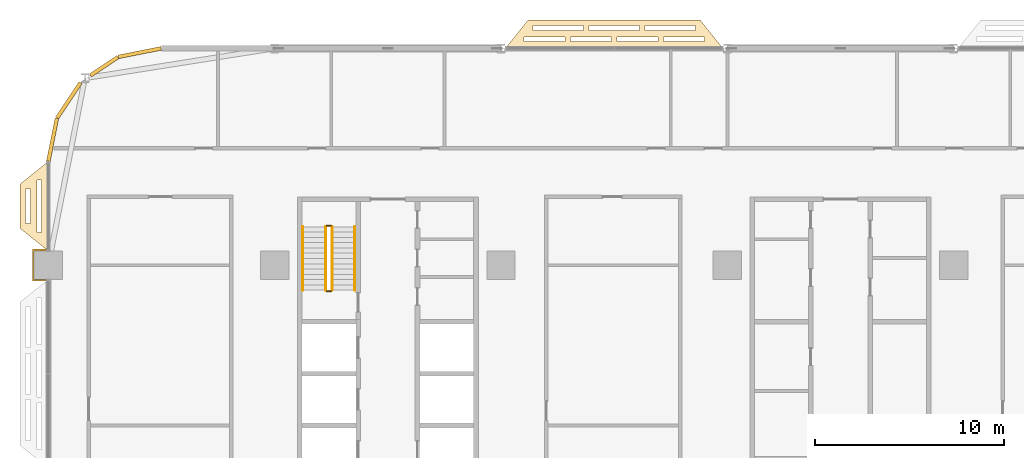
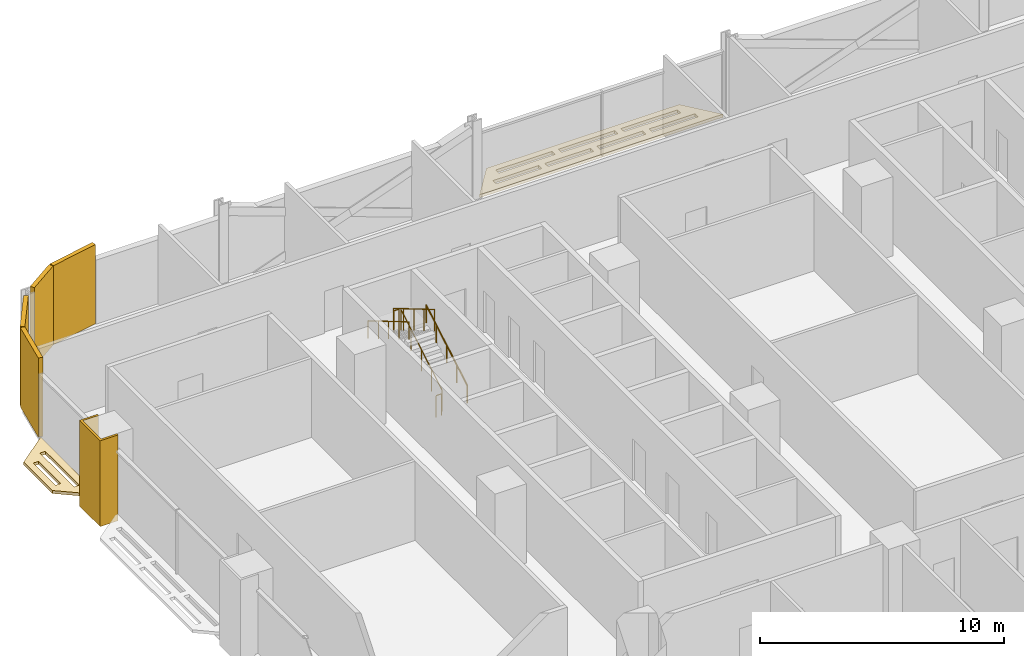
# One storey, part 27 of 30: 7 coverings, 6 railings.
"""IFC4 building model written with IfcOpenShell, lengths in metres."""

from ifc_helpers import new_model, si_unit, direction, frame, origin, origin_2d, place, context, subcontext, project, spatial, polyline, rectangle, circle, outline, extrude, material, layer, layer_set, type_object, element, save


model = new_model("IFC4")

# Units and contexts
model_context = context("Model", 3, precision=1e-05, world=origin(), true_north=direction((0.0, 1.0)))
body_context = subcontext(model_context, "Body", "Model", "MODEL_VIEW")
ifc_project = project(units=[si_unit("LENGTHUNIT", "METRE"), si_unit("AREAUNIT", "SQUARE_METRE"), si_unit("VOLUMEUNIT", "CUBIC_METRE"), si_unit("PLANEANGLEUNIT", "RADIAN"), si_unit("MASSUNIT", "GRAM", prefix="KILO")], contexts=[model_context])

# Site, building, storey
site_placement = place(None, origin())
site = spatial("IfcSite", under=ifc_project, at=site_placement, CompositionType="ELEMENT")
building_placement = place(site_placement, origin())
building = spatial("IfcBuilding", under=site, at=building_placement, Name="Mahtab Terrace Research Tower", CompositionType="ELEMENT")
storey_placement = place(building_placement, frame((0.0, 0.0, 50.300048828125)))
storey = spatial("IfcBuildingStorey", under=building, at=storey_placement, Name="L11", CompositionType="ELEMENT", Elevation=50.300048828125)

# Coverings
ifc_material_1 = material(Name="Black aluminium cladding panel", Category="aluminium")
ifc_layer_1 = layer(ifc_material_1, 0.199951171875)
ifc_layer_set_1 = layer_set([ifc_layer_1], Name="Black metal corner cladding 200")
covering_type_1 = type_object("IfcCoveringType", Name="Black metal corner cladding 200", PredefinedType="CLADDING", material=ifc_layer_set_1)
covering_1_placement = place(storey_placement, frame((-37.14794921875, 22.771484375, 0.0), z_axis=(0.0, 0.0, 1.0), x_axis=(-0.980760981187, -0.195212442692, 0.0)))
element("IfcCovering", 1, at=covering_1_placement, inside=storey, type_object=covering_type_1, Name="Corner cladding L11 11", PredefinedType="CLADDING", context=body_context, shape_type="SweptSolid", body=[
    extrude(rectangle(XDim=2.30126953125, YDim=0.199951171875, at=origin_2d()), origin(), (0.0, 0.0, 1.0), 3.9599609375),
])
covering_2_placement = place(storey_placement, frame((-39.0380859375, 22.047607421875, 0.0), z_axis=(0.0, 0.0, 1.0), x_axis=(-0.831655794326, -0.555291490808, 0.0)))
element("IfcCovering", 2, at=covering_2_placement, inside=storey, type_object=covering_type_1, Name="Corner cladding L11 12", PredefinedType="CLADDING", context=body_context, shape_type="SweptSolid", body=[
    extrude(rectangle(XDim=1.74462890625, YDim=0.199951171875, at=origin_2d()), origin(), (0.0, 0.0, 1.0), 3.9599609375),
])
covering_3_placement = place(storey_placement, frame((-40.911376953125, 20.2421875, 0.0), z_axis=(0.0, 0.0, 1.0), x_axis=(-0.555291490808, -0.831655794326, 0.0)))
element("IfcCovering", 3, at=covering_3_placement, inside=storey, type_object=covering_type_1, Name="Corner cladding L11 13", PredefinedType="CLADDING", context=body_context, shape_type="SweptSolid", body=[
    extrude(rectangle(XDim=2.235595703125, YDim=0.199951171875, at=origin_2d()), origin(), (0.0, 0.0, 1.0), 3.9599609375),
])
covering_4_placement = place(storey_placement, frame((-41.771484375, 18.14794921875, 0.0), z_axis=(0.0, 0.0, 1.0), x_axis=(-0.195212442692, -0.980760981187, 0.0)))
element("IfcCovering", 4, at=covering_4_placement, inside=storey, type_object=covering_type_1, Name="Corner cladding L11 14", PredefinedType="CLADDING", context=body_context, shape_type="SweptSolid", body=[
    extrude(rectangle(XDim=2.30126953125, YDim=0.199951171875, at=origin_2d()), origin(), (0.0, 0.0, 1.0), 3.9599609375),
])
ifc_material_2 = material(Name="Dark anodised aluminium cladding", Category="aluminium")
ifc_layer_2 = layer(ifc_material_2, 0.10009765625)
ifc_layer_set_2 = layer_set([ifc_layer_2], Name="Column casing 100")
covering_type_2 = type_object("IfcCoveringType", Name="Column casing 100", PredefinedType="CLADDING", material=ifc_layer_set_2)
covering_5_placement = place(storey_placement, frame((0.0, 0.0, -0.340087890625)))
element("IfcCovering", 5, at=covering_5_placement, inside=storey, type_object=covering_type_2, Name="Column casing RC-1C L11", PredefinedType="CLADDING", context=body_context, shape_type="SweptSolid", body=[
    extrude(outline(polyline([(-42.85009765625, 12.35009765625), (-42.0, 12.35009765625), (-42.0, 12.25), (-42.75, 12.25), (-42.75, 10.75), (-42.0, 10.75), (-42.0, 10.64990234375), (-42.85009765625, 10.64990234375), (-42.85009765625, 12.35009765625)])), origin(), (0.0, 0.0, 1.0), 4.300048828125),
])
ifc_material_3 = material(Name="Black anodised aluminium", Category="aluminium")
ifc_layer_3 = layer(ifc_material_3, 0.14990234375)
ifc_layer_set_3 = layer_set([ifc_layer_3], Name="Horizontal sunshade band")
covering_type_3 = type_object("IfcCoveringType", Name="Horizontal sunshade band", PredefinedType="CLADDING", material=ifc_layer_set_3)
covering_6_placement = place(storey_placement, frame((0.0, 0.0, -0.150146484375)))
element("IfcCovering", 6, at=covering_6_placement, inside=storey, type_object=covering_type_3, Name="Sunshade band L11 8", PredefinedType="CLADDING", context=body_context, shape_type="SweptSolid", body=[
    extrude(outline(polyline([(-6.238037109375, 23.0), (-17.761962890625, 23.0), (-16.56201171875, 24.5), (-7.43798828125, 24.5), (-6.238037109375, 23.0)]), holes=[polyline([(-7.218017578125, 23.35009765625), (-9.384033203125, 23.35009765625), (-9.384033203125, 23.60009765625), (-7.218017578125, 23.60009765625), (-7.218017578125, 23.35009765625)]), polyline([(-9.68408203125, 23.35009765625), (-11.85009765625, 23.35009765625), (-11.85009765625, 23.60009765625), (-9.68408203125, 23.60009765625), (-9.68408203125, 23.35009765625)]), polyline([(-12.14990234375, 23.35009765625), (-14.31591796875, 23.35009765625), (-14.31591796875, 23.60009765625), (-12.14990234375, 23.60009765625), (-12.14990234375, 23.35009765625)]), polyline([(-14.615966796875, 23.35009765625), (-16.781982421875, 23.35009765625), (-16.781982421875, 23.60009765625), (-14.615966796875, 23.60009765625), (-14.615966796875, 23.35009765625)]), polyline([(-7.697998046875, 23.949951171875), (-10.365966796875, 23.949951171875), (-10.365966796875, 24.199951171875), (-7.697998046875, 24.199951171875), (-7.697998046875, 23.949951171875)]), polyline([(-10.666015625, 23.949951171875), (-13.333984375, 23.949951171875), (-13.333984375, 24.199951171875), (-10.666015625, 24.199951171875), (-10.666015625, 23.949951171875)]), polyline([(-13.634033203125, 23.949951171875), (-16.302001953125, 23.949951171875), (-16.302001953125, 24.199951171875), (-13.634033203125, 24.199951171875), (-13.634033203125, 23.949951171875)])]), origin(), (0.0, 0.0, 1.0), 0.150146484375),
])
covering_7_placement = place(storey_placement, frame((0.0, 0.0, -0.150146484375)))
element("IfcCovering", 7, at=covering_7_placement, inside=storey, type_object=covering_type_3, Name="Sunshade band L11 15", PredefinedType="CLADDING", context=body_context, shape_type="SweptSolid", body=[
    extrude(outline(polyline([(-42.0, 17.0), (-42.0, 12.25), (-43.5, 13.449951171875), (-43.5, 15.800048828125), (-42.0, 17.0)]), holes=[polyline([(-42.35009765625, 16.02001953125), (-42.35009765625, 13.22998046875), (-42.60009765625, 13.22998046875), (-42.60009765625, 16.02001953125), (-42.35009765625, 16.02001953125)]), polyline([(-42.949951171875, 15.5400390625), (-42.949951171875, 13.7099609375), (-43.199951171875, 13.7099609375), (-43.199951171875, 15.5400390625), (-42.949951171875, 15.5400390625)])]), origin(), (0.0, 0.0, 1.0), 0.150146484375),
])

# Railings
ifc_material_4 = material(Name="Stainless steel AISI 304", Category="steel")
railing_type_1 = type_object("IfcRailingType", Name="Stair guard 1100", PredefinedType="GUARDRAIL", material=ifc_material_4)
railing_1_placement = place(storey_placement, frame((-26.949951171875, 10.175048828125, 0.165283203125)))
element("IfcRailing", 8, at=railing_1_placement, inside=storey, type_object=railing_type_1, Name="L11 ST1 stair guard 1", PredefinedType="GUARDRAIL", context=body_context, shape_type="SweptSolid", body=[
    extrude(circle(Radius=0.02392578125, at=origin_2d()), frame((0.0, 0.0, 1.076171875), z_axis=(0.0, 0.861011212953, 0.508585972249), x_axis=(-1.0, 0.0, 0.0)), (0.0, 0.0, 1.0), 3.90234375),
    extrude(circle(Radius=0.02099609375, at=origin_2d()), origin(), (0.0, 0.0, 1.0), 1.052001953125),
    extrude(circle(Radius=0.02099609375, at=origin_2d()), frame((0.0, 0.83984375, 0.49609375)), (0.0, 0.0, 1.0), 1.052001953125),
    extrude(circle(Radius=0.02099609375, at=origin_2d()), frame((0.0, 1.679931640625, 0.9921875)), (0.0, 0.0, 1.0), 1.052001953125),
    extrude(circle(Radius=0.02099609375, at=origin_2d()), frame((0.0, 2.52001953125, 1.488525390625)), (0.0, 0.0, 1.0), 1.052001953125),
    extrude(circle(Radius=0.02099609375, at=origin_2d()), frame((0.0, 3.35986328125, 1.984619140625)), (0.0, 0.0, 1.0), 1.052001953125),
])
railing_2_placement = place(storey_placement, frame((-27.0, 13.5849609375, 2.14990234375)))
element("IfcRailing", 9, at=railing_2_placement, inside=storey, type_object=railing_type_1, Name="L11 ST1 stair guard 2", PredefinedType="GUARDRAIL", context=body_context, shape_type="SweptSolid", body=[
    extrude(circle(Radius=0.02392578125, at=origin_2d()), frame((0.0, 0.0, 1.076171875), z_axis=(-1.0, 0.0, 0.0), x_axis=(0.0, -1.0, 0.0)), (0.0, 0.0, 1.0), 0.25),
    extrude(circle(Radius=0.02099609375, at=origin_2d()), origin(), (0.0, 0.0, 1.0), 1.052001953125),
    extrude(circle(Radius=0.02099609375, at=origin_2d()), frame((-0.25, 0.0, 0.0)), (0.0, 0.0, 1.0), 1.052001953125),
])
railing_3_placement = place(storey_placement, frame((-27.300048828125, 13.534912109375, 2.3154296875)))
element("IfcRailing", 10, at=railing_3_placement, inside=storey, type_object=railing_type_1, Name="L11 ST1 stair guard 3", PredefinedType="GUARDRAIL", context=body_context, shape_type="SweptSolid", body=[
    extrude(circle(Radius=0.02392578125, at=origin_2d()), frame((0.0, 0.0, 1.076171875), z_axis=(0.0, -0.861011212953, 0.508585972249), x_axis=(1.0, 0.0, 0.0)), (0.0, 0.0, 1.0), 3.90234375),
    extrude(circle(Radius=0.02099609375, at=origin_2d()), origin(), (0.0, 0.0, 1.0), 1.052001953125),
    extrude(circle(Radius=0.02099609375, at=origin_2d()), frame((0.0, -0.83984375, 0.49609375)), (0.0, 0.0, 1.0), 1.052001953125),
    extrude(circle(Radius=0.02099609375, at=origin_2d()), frame((0.0, -1.679931640625, 0.9921875)), (0.0, 0.0, 1.0), 1.052001953125),
    extrude(circle(Radius=0.02099609375, at=origin_2d()), frame((0.0, -2.52001953125, 1.488525390625)), (0.0, 0.0, 1.0), 1.052001953125),
    extrude(circle(Radius=0.02099609375, at=origin_2d()), frame((0.0, -3.35986328125, 1.984619140625)), (0.0, 0.0, 1.0), 1.052001953125),
])
railing_4_placement = place(storey_placement, frame((-27.0, 10.125, 0.0)))
element("IfcRailing", 11, at=railing_4_placement, inside=storey, type_object=railing_type_1, Name="L11 ST1 stair guard 4", PredefinedType="GUARDRAIL", context=body_context, shape_type="SweptSolid", body=[
    extrude(circle(Radius=0.02392578125, at=origin_2d()), frame((0.0, 0.0, 1.076171875), z_axis=(-1.0, 0.0, 0.0), x_axis=(0.0, -1.0, 0.0)), (0.0, 0.0, 1.0), 0.25),
    extrude(circle(Radius=0.02099609375, at=origin_2d()), origin(), (0.0, 0.0, 1.0), 1.052001953125),
    extrude(circle(Radius=0.02099609375, at=origin_2d()), frame((-0.25, 0.0, 0.0)), (0.0, 0.0, 1.0), 1.052001953125),
])
railing_type_2 = type_object("IfcRailingType", Name="Stair handrail 900", PredefinedType="HANDRAIL", material=ifc_material_4)
railing_5_placement = place(storey_placement, frame((-25.75, 10.175048828125, 0.165283203125)))
element("IfcRailing", 12, at=railing_5_placement, inside=storey, type_object=railing_type_2, Name="L11 ST1 stair handrail 1", PredefinedType="HANDRAIL", context=body_context, shape_type="SweptSolid", body=[
    extrude(circle(Radius=0.02392578125, at=origin_2d()), frame((0.0, 0.0, 0.8759765625), z_axis=(0.0, 0.861011212953, 0.508585972249), x_axis=(-1.0, 0.0, 0.0)), (0.0, 0.0, 1.0), 3.90234375),
    extrude(circle(Radius=0.02099609375, at=origin_2d()), origin(), (0.0, 0.0, 1.0), 0.851806640625),
    extrude(circle(Radius=0.02099609375, at=origin_2d()), frame((0.0, 0.83984375, 0.49609375)), (0.0, 0.0, 1.0), 0.851806640625),
    extrude(circle(Radius=0.02099609375, at=origin_2d()), frame((0.0, 1.679931640625, 0.9921875)), (0.0, 0.0, 1.0), 0.851806640625),
    extrude(circle(Radius=0.02099609375, at=origin_2d()), frame((0.0, 2.52001953125, 1.488525390625)), (0.0, 0.0, 1.0), 0.851806640625),
    extrude(circle(Radius=0.02099609375, at=origin_2d()), frame((0.0, 3.35986328125, 1.984619140625)), (0.0, 0.0, 1.0), 0.851806640625),
])
railing_6_placement = place(storey_placement, frame((-28.5, 13.534912109375, 2.3154296875)))
element("IfcRailing", 13, at=railing_6_placement, inside=storey, type_object=railing_type_2, Name="L11 ST1 stair handrail 2", PredefinedType="HANDRAIL", context=body_context, shape_type="SweptSolid", body=[
    extrude(circle(Radius=0.02392578125, at=origin_2d()), frame((0.0, 0.0, 0.8759765625), z_axis=(0.0, -0.861011212953, 0.508585972249), x_axis=(1.0, 0.0, 0.0)), (0.0, 0.0, 1.0), 3.90234375),
    extrude(circle(Radius=0.02099609375, at=origin_2d()), origin(), (0.0, 0.0, 1.0), 0.851806640625),
    extrude(circle(Radius=0.02099609375, at=origin_2d()), frame((0.0, -0.83984375, 0.49609375)), (0.0, 0.0, 1.0), 0.851806640625),
    extrude(circle(Radius=0.02099609375, at=origin_2d()), frame((0.0, -1.679931640625, 0.9921875)), (0.0, 0.0, 1.0), 0.851806640625),
    extrude(circle(Radius=0.02099609375, at=origin_2d()), frame((0.0, -2.52001953125, 1.488525390625)), (0.0, 0.0, 1.0), 0.851806640625),
    extrude(circle(Radius=0.02099609375, at=origin_2d()), frame((0.0, -3.35986328125, 1.984619140625)), (0.0, 0.0, 1.0), 0.851806640625),
])

save(model, "model.ifc")
